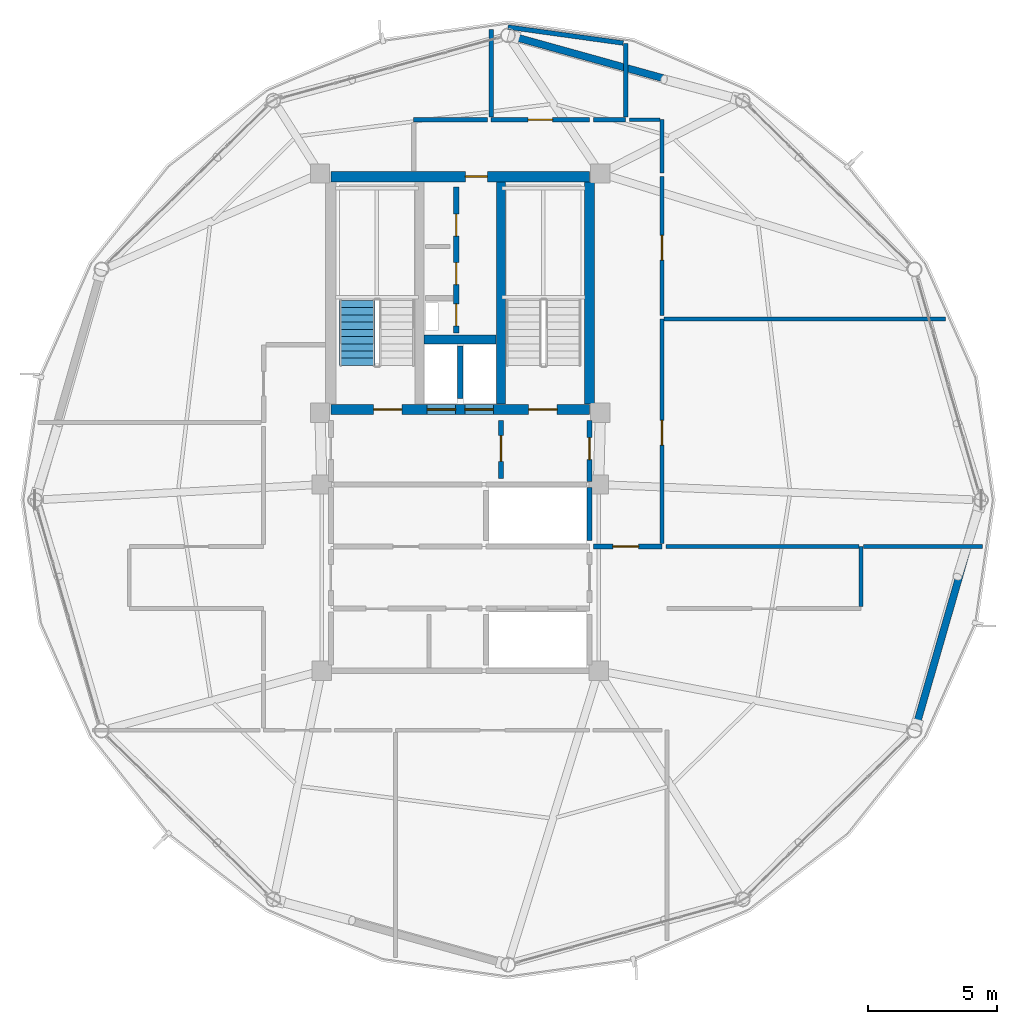
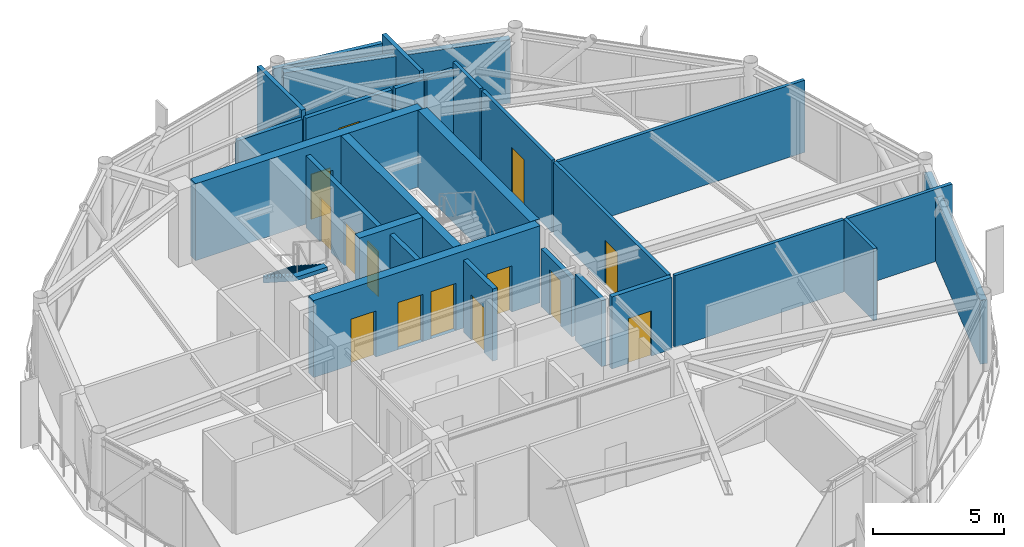
# One storey, part 21 of 25: 27 walls, 14 doors, 1 stair flight, 14 openings, 1 element without a shape of its own.
"""IFC4 building model written with IfcOpenShell, lengths in metres."""

from ifc_helpers import new_model, si_unit, direction, frame, frame_2d, origin, place, context, subcontext, project, spatial, polyline, rectangle, outline, extrude, material, layer, layer_set, type_object, element, fill, aggregate, save


model = new_model("IFC4")

# Units and contexts
model_context = context("Model", 3, precision=1e-05, world=origin(), true_north=direction((0.0, 1.0)))
body_context = subcontext(model_context, "Body", "Model", "MODEL_VIEW")
ifc_project = project(units=[si_unit("LENGTHUNIT", "METRE"), si_unit("AREAUNIT", "SQUARE_METRE"), si_unit("VOLUMEUNIT", "CUBIC_METRE"), si_unit("PLANEANGLEUNIT", "RADIAN"), si_unit("MASSUNIT", "GRAM", prefix="KILO")], contexts=[model_context])

# Site, building, storey
site_placement = place(None, origin())
site = spatial("IfcSite", under=ifc_project, at=site_placement, CompositionType="ELEMENT")
building_placement = place(site_placement, origin())
building = spatial("IfcBuilding", under=site, at=building_placement, Name="Varnakorn Sky Granary", CompositionType="ELEMENT")
storey_placement = place(building_placement, frame((0.0, 0.0, 259.800048828125)))
storey = spatial("IfcBuildingStorey", under=building, at=storey_placement, Name="L66", CompositionType="ELEMENT", Elevation=259.800048828125)

# Walls
ifc_material_1 = material(Name="Concrete C50/60", Category="concrete")
ifc_layer_1 = layer(ifc_material_1, 0.35009765625, Name="Concrete C50/60")
ifc_layer_set_1 = layer_set([ifc_layer_1], Name="Concrete C50/60")
wall_type_1 = type_object("IfcWallType", Name="WT-CW-INT-350", PredefinedType="SHEAR", material=ifc_layer_set_1)
wall_1_placement = place(storey_placement, frame((4.580078125, 3.7099609375, 0.0), z_axis=(0.0, 0.0, 1.0), x_axis=(0.0, 1.0, 0.0)))
element("IfcWall", 1, at=wall_1_placement, inside=storey, type_object=wall_type_1, Name="Stair ST-2 Core Wall L66", PredefinedType="SHEAR", context=body_context, shape_type="SweptSolid", body=[
    extrude(rectangle(XDim=8.580078125, YDim=0.35009765625, at=frame_2d((4.2900390625, 0.0))), origin(), (0.0, 0.0, 1.0), 3.592041015625),
])
wall_2_placement = place(storey_placement, frame((1.610107421875, 6.199951171875, 0.0), z_axis=(0.0, 0.0, 1.0), x_axis=(1.0, 0.0, 0.0)))
element("IfcWall", 2, at=wall_2_placement, inside=storey, type_object=wall_type_1, Name="Core Lift Shaft Cross Wall L66", PredefinedType="SHEAR", context=body_context, shape_type="SweptSolid", body=[
    extrude(rectangle(XDim=2.77978515625, YDim=0.35009765625, at=frame_2d((1.389892578125, 0.0))), origin(), (0.0, 0.0, 1.0), 3.592041015625),
])

# Wall, openings, doors
ifc_layer_2 = layer(ifc_material_1, 0.39990234375, Name="Concrete C50/60")
ifc_layer_set_2 = layer_set([ifc_layer_2], Name="Concrete C50/60")
wall_type_2 = type_object("IfcWallType", Name="WT-CW-SHEAR-400", PredefinedType="SHEAR", material=ifc_layer_set_2)
wall_3_placement = place(storey_placement, frame((-2.0, 3.5, 0.0), z_axis=(0.0, 0.0, 1.0), x_axis=(1.0, 0.0, 0.0)))
wall_3 = element("IfcWall", 3, at=wall_3_placement, inside=storey, type_object=wall_type_2, Name="Core South Shear Wall L66", PredefinedType="SHEAR", context=body_context, shape_type="SweptSolid", body=[
    extrude(rectangle(XDim=10.0, YDim=0.39990234375, at=frame_2d((5.0, 0.0))), origin(), (0.0, 0.0, 1.0), 3.592041015625),
])
opening_1_placement = place(wall_3_placement, frame((1.64990234375, 0.0, 0.0)))
opening_1 = element("IfcOpeningElement", 4, at=opening_1_placement, cuts=wall_3, Name="Opening FD-90", PredefinedType="OPENING", context=body_context, shape_type="SweptSolid", body=[
    extrude(rectangle(XDim=1.10009765625, YDim=2.14990234375, at=frame_2d((0.550048828125, 1.074951171875))), frame((0.0, 0.2099609375, 0.0), z_axis=(0.0, -1.0, 0.0), x_axis=(1.0, 0.0, 0.0)), (0.0, 0.0, 1.0), 0.419921875),
])
opening_2_placement = place(wall_3_placement, frame((7.64990234375, 0.0, 0.0)))
opening_2 = element("IfcOpeningElement", 5, at=opening_2_placement, cuts=wall_3, Name="Opening FD-90", PredefinedType="OPENING", context=body_context, shape_type="SweptSolid", body=[
    extrude(rectangle(XDim=1.10009765625, YDim=2.14990234375, at=frame_2d((0.550048828125, 1.074951171875))), frame((0.0, 0.2099609375, 0.0), z_axis=(0.0, -1.0, 0.0), x_axis=(1.0, 0.0, 0.0)), (0.0, 0.0, 1.0), 0.419921875),
])
opening_3_placement = place(wall_3_placement, frame((3.719970703125, 0.0, 0.0)))
opening_3 = element("IfcOpeningElement", 6, at=opening_3_placement, cuts=wall_3, Name="Opening LD-01", PredefinedType="OPENING", context=body_context, shape_type="SweptSolid", body=[
    extrude(rectangle(XDim=1.10009765625, YDim=2.199951171875, at=frame_2d((0.550048828125, 1.10009765625))), frame((0.0, 0.2099609375, 0.0), z_axis=(0.0, -1.0, 0.0), x_axis=(1.0, 0.0, 0.0)), (0.0, 0.0, 1.0), 0.419921875),
])
opening_4_placement = place(wall_3_placement, frame((5.179931640625, 0.0, 0.0)))
opening_4 = element("IfcOpeningElement", 7, at=opening_4_placement, cuts=wall_3, Name="Opening LD-01", PredefinedType="OPENING", context=body_context, shape_type="SweptSolid", body=[
    extrude(rectangle(XDim=1.10009765625, YDim=2.199951171875, at=frame_2d((0.550048828125, 1.10009765625))), frame((0.0, 0.2099609375, 0.0), z_axis=(0.0, -1.0, 0.0), x_axis=(1.0, 0.0, 0.0)), (0.0, 0.0, 1.0), 0.419921875),
])
ifc_material_2 = material(Name="Brushed Bronze Stainless Steel", Category="steel")
door_type_1 = type_object("IfcDoorType", Name="DR-LD-1100", OperationType="DOUBLE_DOOR_SLIDING", PredefinedType="DOOR", material=ifc_material_2)
door_1_placement = place(opening_3_placement, origin())
door_1 = element("IfcDoor", 8, at=door_1_placement, inside=storey, type_object=door_type_1, Name="Firefighting Lift FFL-1 Landing Door L66", OperationType="DOUBLE_DOOR_SLIDING", OverallHeight=2.199951171875, OverallWidth=1.10009765625, PredefinedType="DOOR", context=body_context, shape_type="SweptSolid", body=[
    extrude(rectangle(XDim=1.10009765625, YDim=2.199951171875, at=frame_2d((0.550048828125, 1.10009765625))), frame((0.0, 0.02490234375, 0.0), z_axis=(0.0, -1.0, 0.0), x_axis=(1.0, 0.0, 0.0)), (0.0, 0.0, 1.0), 0.050048828125),
])
fill(opening_3, door_1)
door_2_placement = place(opening_4_placement, origin())
door_2 = element("IfcDoor", 9, at=door_2_placement, inside=storey, type_object=door_type_1, Name="Firefighting Lift FFL-2 Landing Door L66", OperationType="DOUBLE_DOOR_SLIDING", OverallHeight=2.199951171875, OverallWidth=1.10009765625, PredefinedType="DOOR", context=body_context, shape_type="SweptSolid", body=[
    extrude(rectangle(XDim=1.10009765625, YDim=2.199951171875, at=frame_2d((0.550048828125, 1.10009765625))), frame((0.0, 0.02490234375, 0.0), z_axis=(0.0, -1.0, 0.0), x_axis=(1.0, 0.0, 0.0)), (0.0, 0.0, 1.0), 0.050048828125),
])
fill(opening_4, door_2)
ifc_material_3 = material(Name="Galvanised Painted Steel Leaf", Category="steel")
door_type_2 = type_object("IfcDoorType", Name="DR-STAIR-1100", OperationType="NOTDEFINED", PredefinedType="DOOR", material=ifc_material_3)
door_3_placement = place(opening_1_placement, origin())
door_3 = element("IfcDoor", 10, at=door_3_placement, inside=storey, type_object=door_type_2, Name="Stair ST-1 Protected Fire Door L66", OperationType="SINGLE_SWING_LEFT", OverallHeight=2.14990234375, OverallWidth=1.10009765625, PredefinedType="DOOR", context=body_context, shape_type="SweptSolid", body=[
    extrude(rectangle(XDim=1.10009765625, YDim=2.14990234375, at=frame_2d((0.550048828125, 1.074951171875))), frame((0.0, 0.02490234375, 0.0), z_axis=(0.0, -1.0, 0.0), x_axis=(1.0, 0.0, 0.0)), (0.0, 0.0, 1.0), 0.050048828125),
])
fill(opening_1, door_3)
door_4_placement = place(opening_2_placement, origin())
door_4 = element("IfcDoor", 11, at=door_4_placement, inside=storey, type_object=door_type_2, Name="Stair ST-2 Protected Fire Door L66", OperationType="SINGLE_SWING_RIGHT", OverallHeight=2.14990234375, OverallWidth=1.10009765625, PredefinedType="DOOR", context=body_context, shape_type="SweptSolid", body=[
    extrude(rectangle(XDim=1.10009765625, YDim=2.14990234375, at=frame_2d((0.550048828125, 1.074951171875))), frame((0.0, 0.02490234375, 0.0), z_axis=(0.0, -1.0, 0.0), x_axis=(1.0, 0.0, 0.0)), (0.0, 0.0, 1.0), 0.050048828125),
])
fill(opening_2, door_4)

# Wall, opening, door
wall_4_placement = place(storey_placement, frame((-2.0, 12.5, 0.0), z_axis=(0.0, 0.0, 1.0), x_axis=(1.0, 0.0, 0.0)))
wall_4 = element("IfcWall", 12, at=wall_4_placement, inside=storey, type_object=wall_type_2, Name="Core North Shear Wall L66", PredefinedType="SHEAR", context=body_context, shape_type="SweptSolid", body=[
    extrude(rectangle(XDim=10.0, YDim=0.39990234375, at=frame_2d((5.0, 0.0))), origin(), (0.0, 0.0, 1.0), 3.592041015625),
])
opening_5_placement = place(wall_4_placement, frame((5.199951171875, 0.0, 0.0)))
opening_5 = element("IfcOpeningElement", 13, at=opening_5_placement, cuts=wall_4, Name="Opening FD-60N", PredefinedType="OPENING", context=body_context, shape_type="SweptSolid", body=[
    extrude(rectangle(XDim=0.85009765625, YDim=2.10009765625, at=frame_2d((0.425048828125, 1.050048828125))), frame((0.0, 0.2099609375, 0.0), z_axis=(0.0, -1.0, 0.0), x_axis=(1.0, 0.0, 0.0)), (0.0, 0.0, 1.0), 0.419921875),
])
ifc_material_4 = material(Name="Acoustic Timber Fire Leaf", Category="wood")
door_type_3 = type_object("IfcDoorType", Name="DR-FD60-850", OperationType="NOTDEFINED", PredefinedType="DOOR", material=ifc_material_4)
door_5_placement = place(opening_5_placement, origin())
door_5 = element("IfcDoor", 14, at=door_5_placement, inside=storey, type_object=door_type_3, Name="Core North Service Door L66", OperationType="SINGLE_SWING_RIGHT", OverallHeight=2.10009765625, OverallWidth=0.85009765625, PredefinedType="DOOR", context=body_context, shape_type="SweptSolid", body=[
    extrude(rectangle(XDim=0.85009765625, YDim=2.10009765625, at=frame_2d((0.425048828125, 1.050048828125))), frame((0.0, 0.02490234375, 0.0), z_axis=(0.0, -1.0, 0.0), x_axis=(1.0, 0.0, 0.0)), (0.0, 0.0, 1.0), 0.050048828125),
])
fill(opening_5, door_5)

# Walls
wall_5_placement = place(storey_placement, frame((8.0, 3.7099609375, 0.0), z_axis=(0.0, 0.0, 1.0), x_axis=(0.0, 1.0, 0.0)))
element("IfcWall", 15, at=wall_5_placement, inside=storey, type_object=wall_type_2, Name="Core East Shear Wall L66", PredefinedType="SHEAR", context=body_context, shape_type="SweptSolid", body=[
    extrude(rectangle(XDim=8.580078125, YDim=0.39990234375, at=frame_2d((4.2900390625, 0.0))), origin(), (0.0, 0.0, 1.0), 3.592041015625),
])
ifc_material_5 = material(Name="Precast concrete C40/50", Category="concrete")
ifc_layer_3 = layer(ifc_material_5, 0.280029296875, Name="Precast concrete C40/50")
ifc_layer_set_3 = layer_set([ifc_layer_3], Name="Precast concrete C40/50")
wall_type_3 = type_object("IfcWallType", Name="WT-EW-CRN-280", PredefinedType="SOLIDWALL", material=ifc_layer_set_3)
wall_6_placement = place(storey_placement, frame((5.075927734375, 17.908203125, 0.0), z_axis=(0.0, 0.0, 1.0), x_axis=(0.963442479869, -0.267915262691, 0.0)))
element("IfcWall", 16, at=wall_6_placement, inside=storey, type_object=wall_type_3, Name="Agritech Insulated Precast Facade Wall L66-P03", PredefinedType="SOLIDWALL", context=body_context, shape_type="SweptSolid", body=[
    extrude(rectangle(XDim=8.9541015625, YDim=0.280029296875, at=frame_2d((4.47705078125, 0.0))), origin(), (0.0, 0.0, 1.0), 2.969970703125),
])
wall_7_placement = place(storey_placement, frame((23.0771484375, -0.225341796875, 0.0), z_axis=(0.0, 0.0, 1.0), x_axis=(-0.276663782218, -0.960966779659, 0.0)))
element("IfcWall", 17, at=wall_7_placement, inside=storey, type_object=wall_type_3, Name="Agritech Insulated Precast Facade Wall L66-P12", PredefinedType="SOLIDWALL", context=body_context, shape_type="SweptSolid", body=[
    extrude(rectangle(XDim=8.811279296875, YDim=0.280029296875, at=frame_2d((4.40576171875, 0.0))), origin(), (0.0, 0.0, 1.0), 2.969970703125),
])

# Wall, openings, doors
ifc_material_6 = material(Name="Autoclaved Aerated Concrete Blockwork", Category="masonry")
ifc_layer_4 = layer(ifc_material_6, 0.199951171875, Name="Autoclaved Aerated Concrete Blockwork")
ifc_layer_set_4 = layer_set([ifc_layer_4], Name="Autoclaved Aerated Concrete Blockwork")
wall_type_4 = type_object("IfcWallType", Name="WT-FIRE-200", PredefinedType="MOVABLE", material=ifc_layer_set_4)
wall_8_placement = place(storey_placement, frame((2.85009765625, 6.449951171875, 0.0), z_axis=(0.0, 0.0, 1.0), x_axis=(0.0, 1.0, 0.0)))
wall_8 = element("IfcWall", 18, at=wall_8_placement, inside=storey, type_object=wall_type_4, Name="Interior Partition Wall L66-011", PredefinedType="MOVABLE", context=body_context, shape_type="SweptSolid", body=[
    extrude(rectangle(XDim=5.650146484375, YDim=0.199951171875, at=frame_2d((2.8251953125, 0.0))), origin(), (0.0, 0.0, 1.0), 3.35986328125),
])
opening_6_placement = place(wall_8_placement, frame((1.8798828125, 0.0, 0.0)))
opening_6 = element("IfcOpeningElement", 19, at=opening_6_placement, cuts=wall_8, Name="Opening RD-85", PredefinedType="OPENING", context=body_context, shape_type="SweptSolid", body=[
    extrude(rectangle(XDim=0.85009765625, YDim=2.050048828125, at=frame_2d((0.425048828125, 1.02490234375))), frame((0.0, 0.10986328125, 0.0), z_axis=(0.0, -1.0, 0.0), x_axis=(1.0, 0.0, 0.0)), (0.0, 0.0, 1.0), 0.219970703125),
])
opening_7_placement = place(wall_8_placement, frame((3.75, 0.0, 0.0)))
opening_7 = element("IfcOpeningElement", 20, at=opening_7_placement, cuts=wall_8, Name="Opening FD-60N", PredefinedType="OPENING", context=body_context, shape_type="SweptSolid", body=[
    extrude(rectangle(XDim=0.85009765625, YDim=2.10009765625, at=frame_2d((0.425048828125, 1.050048828125))), frame((0.0, 0.10986328125, 0.0), z_axis=(0.0, -1.0, 0.0), x_axis=(1.0, 0.0, 0.0)), (0.0, 0.0, 1.0), 0.219970703125),
])
opening_8_placement = place(wall_8_placement, frame((0.280029296875, 0.0, 0.0)))
opening_8 = element("IfcOpeningElement", 21, at=opening_8_placement, cuts=wall_8, Name="Opening FD-60N", PredefinedType="OPENING", context=body_context, shape_type="SweptSolid", body=[
    extrude(rectangle(XDim=0.85009765625, YDim=2.10009765625, at=frame_2d((0.425048828125, 1.050048828125))), frame((0.0, 0.10986328125, 0.0), z_axis=(0.0, -1.0, 0.0), x_axis=(1.0, 0.0, 0.0)), (0.0, 0.0, 1.0), 0.219970703125),
])
door_6_placement = place(opening_7_placement, origin())
door_6 = element("IfcDoor", 22, at=door_6_placement, inside=storey, type_object=door_type_3, Name="Interior Door L66-011-2", OperationType="SINGLE_SWING_LEFT", OverallHeight=2.10009765625, OverallWidth=0.85009765625, PredefinedType="DOOR", context=body_context, shape_type="SweptSolid", body=[
    extrude(rectangle(XDim=0.85009765625, YDim=2.10009765625, at=frame_2d((0.425048828125, 1.050048828125))), frame((0.0, 0.02490234375, 0.0), z_axis=(0.0, -1.0, 0.0), x_axis=(1.0, 0.0, 0.0)), (0.0, 0.0, 1.0), 0.050048828125),
])
fill(opening_7, door_6)
door_7_placement = place(opening_8_placement, origin())
door_7 = element("IfcDoor", 23, at=door_7_placement, inside=storey, type_object=door_type_3, Name="Interior Door L66-011-3", OperationType="SINGLE_SWING_RIGHT", OverallHeight=2.10009765625, OverallWidth=0.85009765625, PredefinedType="DOOR", context=body_context, shape_type="SweptSolid", body=[
    extrude(rectangle(XDim=0.85009765625, YDim=2.10009765625, at=frame_2d((0.425048828125, 1.050048828125))), frame((0.0, 0.02490234375, 0.0), z_axis=(0.0, -1.0, 0.0), x_axis=(1.0, 0.0, 0.0)), (0.0, 0.0, 1.0), 0.050048828125),
])
fill(opening_8, door_7)
door_type_4 = type_object("IfcDoorType", Name="DR-RIS-850", OperationType="NOTDEFINED", PredefinedType="DOOR", material=ifc_material_3)
door_8_placement = place(opening_6_placement, origin())
door_8 = element("IfcDoor", 24, at=door_8_placement, inside=storey, type_object=door_type_4, Name="MEP Riser Shaft Access Door L66-011-1", OperationType="SINGLE_SWING_RIGHT", OverallHeight=2.050048828125, OverallWidth=0.85009765625, PredefinedType="DOOR", context=body_context, shape_type="SweptSolid", body=[
    extrude(rectangle(XDim=0.85009765625, YDim=2.050048828125, at=frame_2d((0.425048828125, 1.02490234375))), frame((0.0, 0.02490234375, 0.0), z_axis=(0.0, -1.0, 0.0), x_axis=(1.0, 0.0, 0.0)), (0.0, 0.0, 1.0), 0.050048828125),
])
fill(opening_6, door_8)

# Wall, opening, door
wall_9_placement = place(storey_placement, frame((4.580078125, 0.830078125, 0.0), z_axis=(0.0, 0.0, 1.0), x_axis=(0.0, 1.0, 0.0)))
wall_9 = element("IfcWall", 25, at=wall_9_placement, inside=storey, type_object=wall_type_4, Name="Interior Partition Wall L66-012", PredefinedType="MOVABLE", context=body_context, shape_type="SweptSolid", body=[
    extrude(rectangle(XDim=2.239990234375, YDim=0.199951171875, at=frame_2d((1.1201171875, 0.0))), origin(), (0.0, 0.0, 1.0), 3.35986328125),
])
opening_9_placement = place(wall_9_placement, frame((0.659912109375, 0.0, 0.0)))
opening_9 = element("IfcOpeningElement", 26, at=opening_9_placement, cuts=wall_9, Name="Opening FD-60", PredefinedType="OPENING", context=body_context, shape_type="SweptSolid", body=[
    extrude(rectangle(XDim=1.0, YDim=2.10009765625, at=frame_2d((0.5, 1.050048828125))), frame((0.0, 0.10986328125, 0.0), z_axis=(0.0, -1.0, 0.0), x_axis=(1.0, 0.0, 0.0)), (0.0, 0.0, 1.0), 0.219970703125),
])
door_type_5 = type_object("IfcDoorType", Name="DR-FD60-1000", OperationType="NOTDEFINED", PredefinedType="DOOR", material=ifc_material_4)
door_9_placement = place(opening_9_placement, origin())
door_9 = element("IfcDoor", 27, at=door_9_placement, inside=storey, type_object=door_type_5, Name="Interior Door L66-012-1", OperationType="SINGLE_SWING_LEFT", OverallHeight=2.10009765625, OverallWidth=1.0, PredefinedType="DOOR", context=body_context, shape_type="SweptSolid", body=[
    extrude(rectangle(XDim=1.0, YDim=2.10009765625, at=frame_2d((0.5, 1.050048828125))), frame((0.0, 0.02490234375, 0.0), z_axis=(0.0, -1.0, 0.0), x_axis=(1.0, 0.0, 0.0)), (0.0, 0.0, 1.0), 0.050048828125),
])
fill(opening_9, door_9)

wall_10_placement = place(storey_placement, frame((8.0, 0.719970703125, 0.0), z_axis=(0.0, 0.0, 1.0), x_axis=(0.0, 1.0, 0.0)))
wall_10 = element("IfcWall", 28, at=wall_10_placement, inside=storey, type_object=wall_type_4, Name="Interior Partition Wall L66-014", PredefinedType="MOVABLE", context=body_context, shape_type="SweptSolid", body=[
    extrude(rectangle(XDim=2.35009765625, YDim=0.199951171875, at=frame_2d((1.175048828125, 0.0))), origin(), (0.0, 0.0, 1.0), 2.69189453125),
])
opening_10_placement = place(wall_10_placement, frame((0.844970703125, 0.0, 0.0)))
opening_10 = element("IfcOpeningElement", 29, at=opening_10_placement, cuts=wall_10, Name="Opening FD-60N", PredefinedType="OPENING", context=body_context, shape_type="SweptSolid", body=[
    extrude(rectangle(XDim=0.85009765625, YDim=2.10009765625, at=frame_2d((0.425048828125, 1.050048828125))), frame((0.0, 0.10986328125, 0.0), z_axis=(0.0, -1.0, 0.0), x_axis=(1.0, 0.0, 0.0)), (0.0, 0.0, 1.0), 0.219970703125),
])
door_10_placement = place(opening_10_placement, origin())
door_10 = element("IfcDoor", 30, at=door_10_placement, inside=storey, type_object=door_type_3, Name="Interior Door L66-014-1", OperationType="SINGLE_SWING_LEFT", OverallHeight=2.10009765625, OverallWidth=0.85009765625, PredefinedType="DOOR", context=body_context, shape_type="SweptSolid", body=[
    extrude(rectangle(XDim=0.85009765625, YDim=2.10009765625, at=frame_2d((0.425048828125, 1.050048828125))), frame((0.0, 0.02490234375, 0.0), z_axis=(0.0, -1.0, 0.0), x_axis=(1.0, 0.0, 0.0)), (0.0, 0.0, 1.0), 0.050048828125),
])
fill(opening_10, door_10)

wall_11_placement = place(storey_placement, frame((8.159912109375, -1.800048828125, 0.0), z_axis=(0.0, 0.0, 1.0), x_axis=(1.0, 0.0, 0.0)))
wall_11 = element("IfcWall", 31, at=wall_11_placement, inside=storey, type_object=wall_type_4, Name="Interior Partition Wall L66-019", PredefinedType="MOVABLE", context=body_context, shape_type="SweptSolid", body=[
    extrude(rectangle(XDim=2.64013671875, YDim=0.199951171875, at=frame_2d((1.320068359375, 0.0))), origin(), (0.0, 0.0, 1.0), 3.35986328125),
])
opening_11_placement = place(wall_11_placement, frame((0.739990234375, 0.0, 0.0)))
opening_11 = element("IfcOpeningElement", 32, at=opening_11_placement, cuts=wall_11, Name="Opening FD-60", PredefinedType="OPENING", context=body_context, shape_type="SweptSolid", body=[
    extrude(rectangle(XDim=1.0, YDim=2.10009765625, at=frame_2d((0.5, 1.050048828125))), frame((0.0, 0.10986328125, 0.0), z_axis=(0.0, -1.0, 0.0), x_axis=(1.0, 0.0, 0.0)), (0.0, 0.0, 1.0), 0.219970703125),
])
door_11_placement = place(opening_11_placement, origin())
door_11 = element("IfcDoor", 33, at=door_11_placement, inside=storey, type_object=door_type_5, Name="Interior Door L66-019-1", OperationType="SINGLE_SWING_LEFT", OverallHeight=2.10009765625, OverallWidth=1.0, PredefinedType="DOOR", context=body_context, shape_type="SweptSolid", body=[
    extrude(rectangle(XDim=1.0, YDim=2.10009765625, at=frame_2d((0.5, 1.050048828125))), frame((0.0, 0.02490234375, 0.0), z_axis=(0.0, -1.0, 0.0), x_axis=(1.0, 0.0, 0.0)), (0.0, 0.0, 1.0), 0.050048828125),
])
fill(opening_11, door_11)

ifc_material_7 = material(Name="Gypsum Plasterboard on Steel Stud", Category="steel")
ifc_layer_5 = layer(ifc_material_7, 0.14990234375, Name="Gypsum Plasterboard on Steel Stud")
ifc_layer_set_5 = layer_set([ifc_layer_5], Name="Gypsum Plasterboard on Steel Stud")
wall_type_5 = type_object("IfcWallType", Name="WT-PART-150", PredefinedType="PARTITIONING", material=ifc_layer_set_5)
wall_12_placement = place(storey_placement, frame((10.800048828125, -1.68994140625, 0.0), z_axis=(0.0, 0.0, 1.0), x_axis=(0.0, 1.0, 0.0)))
wall_12 = element("IfcWall", 34, at=wall_12_placement, inside=storey, type_object=wall_type_5, Name="Interior Partition Wall L66-026", PredefinedType="PARTITIONING", context=body_context, shape_type="SweptSolid", body=[
    extrude(rectangle(XDim=8.68994140625, YDim=0.14990234375, at=frame_2d((4.344970703125, 0.0))), origin(), (0.0, 0.0, 1.0), 3.35986328125),
])
opening_12_placement = place(wall_12_placement, frame((3.81494140625, 0.0, 0.0)))
opening_12 = element("IfcOpeningElement", 35, at=opening_12_placement, cuts=wall_12, Name="Opening ID-95", PredefinedType="OPENING", context=body_context, shape_type="SweptSolid", body=[
    extrude(rectangle(XDim=0.949951171875, YDim=2.10009765625, at=frame_2d((0.47509765625, 1.050048828125))), frame((0.0, 0.0849609375, 0.0), z_axis=(0.0, -1.0, 0.0), x_axis=(1.0, 0.0, 0.0)), (0.0, 0.0, 1.0), 0.169921875),
])
ifc_material_8 = material(Name="Solid-Core Teak Veneer Leaf", Category="timber")
door_type_6 = type_object("IfcDoorType", Name="DR-INT-950", OperationType="NOTDEFINED", PredefinedType="DOOR", material=ifc_material_8)
door_12_placement = place(opening_12_placement, origin())
door_12 = element("IfcDoor", 36, at=door_12_placement, inside=storey, type_object=door_type_6, Name="Interior Door L66-026-1", OperationType="SINGLE_SWING_RIGHT", OverallHeight=2.10009765625, OverallWidth=0.949951171875, PredefinedType="DOOR", context=body_context, shape_type="SweptSolid", body=[
    extrude(rectangle(XDim=0.949951171875, YDim=2.10009765625, at=frame_2d((0.47509765625, 1.050048828125))), frame((0.0, 0.02490234375, 0.0), z_axis=(0.0, -1.0, 0.0), x_axis=(1.0, 0.0, 0.0)), (0.0, 0.0, 1.0), 0.050048828125),
])
fill(opening_12, door_12)

wall_13_placement = place(storey_placement, frame((10.800048828125, 7.135009765625, 0.0), z_axis=(0.0, 0.0, 1.0), x_axis=(0.0, 1.0, 0.0)))
wall_13 = element("IfcWall", 37, at=wall_13_placement, inside=storey, type_object=wall_type_5, Name="Interior Partition Wall L66-027", PredefinedType="PARTITIONING", context=body_context, shape_type="SweptSolid", body=[
    extrude(rectangle(XDim=5.364990234375, YDim=0.14990234375, at=frame_2d((2.6826171875, 0.0))), origin(), (0.0, 0.0, 1.0), 3.35986328125),
])
opening_13_placement = place(wall_13_placement, frame((2.139892578125, 0.0, 0.0)))
opening_13 = element("IfcOpeningElement", 38, at=opening_13_placement, cuts=wall_13, Name="Opening ID-95", PredefinedType="OPENING", context=body_context, shape_type="SweptSolid", body=[
    extrude(rectangle(XDim=0.949951171875, YDim=2.10009765625, at=frame_2d((0.47509765625, 1.050048828125))), frame((0.0, 0.0849609375, 0.0), z_axis=(0.0, -1.0, 0.0), x_axis=(1.0, 0.0, 0.0)), (0.0, 0.0, 1.0), 0.169921875),
])
door_13_placement = place(opening_13_placement, origin())
door_13 = element("IfcDoor", 39, at=door_13_placement, inside=storey, type_object=door_type_6, Name="Interior Door L66-027-1", OperationType="SINGLE_SWING_LEFT", OverallHeight=2.10009765625, OverallWidth=0.949951171875, PredefinedType="DOOR", context=body_context, shape_type="SweptSolid", body=[
    extrude(rectangle(XDim=0.949951171875, YDim=2.10009765625, at=frame_2d((0.47509765625, 1.050048828125))), frame((0.0, 0.02490234375, 0.0), z_axis=(0.0, -1.0, 0.0), x_axis=(1.0, 0.0, 0.0)), (0.0, 0.0, 1.0), 0.050048828125),
])
fill(opening_13, door_13)

# Walls
wall_14_placement = place(storey_placement, frame((18.5, -4.114990234375, 0.0), z_axis=(0.0, 0.0, 1.0), x_axis=(0.0, 1.0, 0.0)))
element("IfcWall", 40, at=wall_14_placement, inside=storey, type_object=wall_type_5, Name="Interior Partition Wall L66-040", PredefinedType="PARTITIONING", context=body_context, shape_type="SweptSolid", body=[
    extrude(rectangle(XDim=2.31494140625, YDim=0.14990234375, at=frame_2d((1.157470703125, 0.0))), origin(), (0.0, 0.0, 1.0), 3.35986328125),
])
wall_15_placement = place(storey_placement, frame((18.5849609375, -1.800048828125, 0.0), z_axis=(0.0, 0.0, 1.0), x_axis=(1.0, 0.0, 0.0)))
element("IfcWall", 41, at=wall_15_placement, inside=storey, type_object=wall_type_5, Name="Interior Partition Wall L66-041", PredefinedType="PARTITIONING", context=body_context, shape_type="SweptSolid", body=[
    extrude(rectangle(XDim=4.609130859375, YDim=0.14990234375, at=frame_2d((2.3046875, 0.0))), origin(), (0.0, 0.0, 1.0), 3.35986328125),
])
wall_16_placement = place(storey_placement, frame((18.4150390625, -1.800048828125, 0.0), z_axis=(0.0, 0.0, 1.0), x_axis=(-1.0, 0.0, 0.0)))
element("IfcWall", 42, at=wall_16_placement, inside=storey, type_object=wall_type_5, Name="Interior Partition Wall L66-052", PredefinedType="PARTITIONING", context=body_context, shape_type="SweptSolid", body=[
    extrude(rectangle(XDim=7.455078125, YDim=0.14990234375, at=frame_2d((3.7275390625, 0.0))), origin(), (0.0, 0.0, 1.0), 3.35986328125),
])
wall_17_placement = place(storey_placement, frame((10.885009765625, 7.0, 0.0), z_axis=(0.0, 0.0, 1.0), x_axis=(1.0, 0.0, 0.0)))
element("IfcWall", 43, at=wall_17_placement, inside=storey, type_object=wall_type_5, Name="Interior Partition Wall L66-053", PredefinedType="PARTITIONING", context=body_context, shape_type="SweptSolid", body=[
    extrude(rectangle(XDim=10.8779296875, YDim=0.14990234375, at=frame_2d((5.43896484375, 0.0))), origin(), (0.0, 0.0, 1.0), 3.35986328125),
])
wall_18_placement = place(storey_placement, frame((10.800048828125, 12.635009765625, 0.0), z_axis=(0.0, 0.0, 1.0), x_axis=(0.0, 1.0, 0.0)))
element("IfcWall", 44, at=wall_18_placement, inside=storey, type_object=wall_type_5, Name="Interior Partition Wall L66-054", PredefinedType="PARTITIONING", context=body_context, shape_type="SweptSolid", body=[
    extrude(rectangle(XDim=2.06494140625, YDim=0.14990234375, at=frame_2d((1.032470703125, 0.0))), origin(), (0.0, 0.0, 1.0), 3.35986328125),
])
wall_19_placement = place(storey_placement, frame((10.715087890625, 14.699951171875, 0.0), z_axis=(0.0, 0.0, 1.0), x_axis=(-1.0, 0.0, 0.0)))
element("IfcWall", 45, at=wall_19_placement, inside=storey, type_object=wall_type_5, Name="Interior Partition Wall L66-055", PredefinedType="PARTITIONING", context=body_context, shape_type="SweptSolid", body=[
    extrude(rectangle(XDim=1.1650390625, YDim=0.14990234375, at=frame_2d((0.58251953125, 0.0))), origin(), (0.0, 0.0, 1.0), 3.072021484375),
])

# Wall, opening, door
ifc_material_9 = material(Name="Moisture-Resistant Gypsum on Stud", Category="gypsum")
ifc_layer_6 = layer(ifc_material_9, 0.179931640625, Name="Moisture-Resistant Gypsum on Stud")
ifc_layer_set_6 = layer_set([ifc_layer_6], Name="Moisture-Resistant Gypsum on Stud")
wall_type_6 = type_object("IfcWallType", Name="WT-PLUMB-180", PredefinedType="PLUMBINGWALL", material=ifc_layer_set_6)
wall_20_placement = place(storey_placement, frame((8.0, 14.699951171875, 0.0), z_axis=(0.0, 0.0, 1.0), x_axis=(-1.0, 0.0, 0.0)))
wall_20 = element("IfcWall", 46, at=wall_20_placement, inside=storey, type_object=wall_type_6, Name="Interior Partition Wall L66-020", PredefinedType="PLUMBINGWALL", context=body_context, shape_type="SweptSolid", body=[
    extrude(rectangle(XDim=3.800048828125, YDim=0.179931640625, at=frame_2d((1.89990234375, 0.0))), origin(), (0.0, 0.0, 1.0), 3.072021484375),
])
opening_14_placement = place(wall_20_placement, frame((1.425048828125, 0.0, 0.0)))
opening_14 = element("IfcOpeningElement", 47, at=opening_14_placement, cuts=wall_20, Name="Opening ID-95", PredefinedType="OPENING", context=body_context, shape_type="SweptSolid", body=[
    extrude(rectangle(XDim=0.949951171875, YDim=2.10009765625, at=frame_2d((0.47509765625, 1.050048828125))), frame((0.0, 0.10009765625, 0.0), z_axis=(0.0, -1.0, 0.0), x_axis=(1.0, 0.0, 0.0)), (0.0, 0.0, 1.0), 0.199951171875),
])
door_14_placement = place(opening_14_placement, origin())
door_14 = element("IfcDoor", 48, at=door_14_placement, inside=storey, type_object=door_type_6, Name="Interior Door L66-020-1", OperationType="SINGLE_SWING_RIGHT", OverallHeight=2.10009765625, OverallWidth=0.949951171875, PredefinedType="DOOR", context=body_context, shape_type="SweptSolid", body=[
    extrude(rectangle(XDim=0.949951171875, YDim=2.10009765625, at=frame_2d((0.47509765625, 1.050048828125))), frame((0.0, 0.02490234375, 0.0), z_axis=(0.0, -1.0, 0.0), x_axis=(1.0, 0.0, 0.0)), (0.0, 0.0, 1.0), 0.050048828125),
])
fill(opening_14, door_14)

# Walls
wall_21_placement = place(storey_placement, frame((9.39990234375, 14.699951171875, 0.0), z_axis=(0.0, 0.0, 1.0), x_axis=(-1.0, 0.0, 0.0)))
element("IfcWall", 49, at=wall_21_placement, inside=storey, type_object=wall_type_6, Name="Interior Partition Wall L66-034", PredefinedType="PLUMBINGWALL", context=body_context, shape_type="SweptSolid", body=[
    extrude(rectangle(XDim=1.25, YDim=0.179931640625, at=frame_2d((0.625, 0.0))), origin(), (0.0, 0.0, 1.0), 3.072021484375),
])
wall_22_placement = place(storey_placement, frame((4.050048828125, 14.699951171875, 0.0), z_axis=(0.0, 0.0, 1.0), x_axis=(-1.0, 0.0, 0.0)))
element("IfcWall", 50, at=wall_22_placement, inside=storey, type_object=wall_type_6, Name="Interior Partition Wall L66-049", PredefinedType="PLUMBINGWALL", context=body_context, shape_type="SweptSolid", body=[
    extrude(rectangle(XDim=2.85009765625, YDim=0.179931640625, at=frame_2d((1.425048828125, 0.0))), origin(), (0.0, 0.0, 1.0), 3.072021484375),
])
wall_23_placement = place(storey_placement, frame((4.199951171875, 18.19091796875, 0.0), z_axis=(0.0, 0.0, 1.0), x_axis=(0.0, -1.0, 0.0)))
element("IfcWall", 51, at=wall_23_placement, inside=storey, type_object=wall_type_6, Name="Interior Partition Wall L66-051", PredefinedType="PLUMBINGWALL", context=body_context, shape_type="SweptSolid", body=[
    extrude(rectangle(XDim=3.390869140625, YDim=0.179931640625, at=frame_2d((1.6953125, 0.0))), origin(), (0.0, 0.0, 1.0), 3.35986328125),
])
wall_24_placement = place(storey_placement, frame((9.39990234375, 14.800048828125, 0.0), z_axis=(0.0, 0.0, 1.0), x_axis=(0.0, 1.0, 0.0)))
element("IfcWall", 52, at=wall_24_placement, inside=storey, type_object=wall_type_6, Name="Interior Partition Wall L66-056", PredefinedType="PLUMBINGWALL", context=body_context, shape_type="SweptSolid", body=[
    extrude(rectangle(XDim=2.849853515625, YDim=0.179931640625, at=frame_2d((1.4248046875, 0.0))), origin(), (0.0, 0.0, 1.0), 3.35986328125),
])
wall_25_placement = place(storey_placement, frame((9.301025390625, 17.6640625, 0.0), z_axis=(0.0, 0.0, 1.0), x_axis=(-0.99052986968, 0.137297404458, 0.0)))
element("IfcWall", 53, at=wall_25_placement, inside=storey, type_object=wall_type_6, Name="Interior Partition Wall L66-057", PredefinedType="PLUMBINGWALL", context=body_context, shape_type="SweptSolid", body=[
    extrude(rectangle(XDim=4.493408203125, YDim=0.179931640625, at=frame_2d((2.24658203125, 0.0))), origin(), (0.0, 0.0, 1.0), 2.98193359375),
])
ifc_layer_7 = layer(ifc_material_6, 0.199951171875, Name="Autoclaved Aerated Concrete Blockwork")
ifc_layer_set_7 = layer_set([ifc_layer_7], Name="Autoclaved Aerated Concrete Blockwork")
wall_type_7 = type_object("IfcWallType", Name="WT-SHAFT-200", PredefinedType="SOLIDWALL", material=ifc_layer_set_7)
wall_26_placement = place(storey_placement, frame((3.0, 3.919921875, 0.0), z_axis=(0.0, 0.0, 1.0), x_axis=(0.0, 1.0, 0.0)))
element("IfcWall", 54, at=wall_26_placement, inside=storey, type_object=wall_type_7, Name="Interior Partition Wall L66-001", PredefinedType="SOLIDWALL", context=body_context, shape_type="SweptSolid", body=[
    extrude(rectangle(XDim=2.030029296875, YDim=0.199951171875, at=frame_2d((1.01513671875, 0.0))), origin(), (0.0, 0.0, 1.0), 3.35986328125),
])
wall_27_placement = place(storey_placement, frame((8.0, -1.570068359375, 0.0), z_axis=(0.0, 0.0, 1.0), x_axis=(0.0, 1.0, 0.0)))
element("IfcWall", 55, at=wall_27_placement, inside=storey, type_object=wall_type_7, Name="Interior Partition Wall L66-006", PredefinedType="SOLIDWALL", context=body_context, shape_type="SweptSolid", body=[
    extrude(rectangle(XDim=2.050048828125, YDim=0.199951171875, at=frame_2d((1.02490234375, 0.0))), origin(), (0.0, 0.0, 1.0), 3.072021484375),
])

# Stair, stair flight
ifc_material_10 = material(Name="Concrete C40/50", Category="concrete")
stair_type = type_object("IfcStairType", Name="ST-MAIN-ASSEMBLY", PredefinedType="HALF_TURN_STAIR", material=ifc_material_10)
stair_placement = place(storey_placement, origin())
stair = element("IfcStair", 56, at=stair_placement, inside=storey, type_object=stair_type, Name="L66 Protected Exit Stair ST-1", PredefinedType="HALF_TURN_STAIR")
stair_flight_type = type_object("IfcStairFlightType", Name="ST-MAIN-FLIGHT", PredefinedType="STRAIGHT", material=ifc_material_10)
stair_flight_placement = place(storey_placement, frame((-0.97998046875, 7.719970703125, 1.800048828125), z_axis=(0.0, 0.0, 1.0), x_axis=(0.0, -1.0, 0.0)))
stair_flight = element("IfcStairFlight", 57, at=stair_flight_placement, type_object=stair_flight_type, Name="ST-1 flight 2", NumberOfRisers=10, NumberOfTreads=9, PredefinedType="STRAIGHT", RiserHeight=0.18, TreadLength=0.28, context=body_context, shape_type="SweptSolid", body=[
    extrude(outline(polyline([(0.0, -0.14990234375), (0.0, 0.0), (0.0, 0.179931640625), (0.280029296875, 0.179931640625), (0.280029296875, 0.360107421875), (0.56005859375, 0.360107421875), (0.56005859375, 0.5400390625), (0.840087890625, 0.5400390625), (0.840087890625, 0.719970703125), (1.1201171875, 0.719970703125), (1.1201171875, 0.89990234375), (1.39990234375, 0.89990234375), (1.39990234375, 1.080078125), (1.679931640625, 1.080078125), (1.679931640625, 1.260009765625), (1.9599609375, 1.260009765625), (1.9599609375, 1.43994140625), (2.239990234375, 1.43994140625), (2.239990234375, 1.6201171875), (2.52001953125, 1.6201171875), (2.52001953125, 1.800048828125), (2.52001953125, 1.44189453125), (0.050048828125, -0.14990234375), (0.0, -0.14990234375)])), frame((0.0, 0.68994140625, 0.0), z_axis=(0.0, -1.0, 0.0), x_axis=(1.0, 0.0, 0.0)), (0.0, 0.0, 1.0), 1.3798828125),
])
aggregate(stair, [stair_flight])

save(model, "model.ifc")
